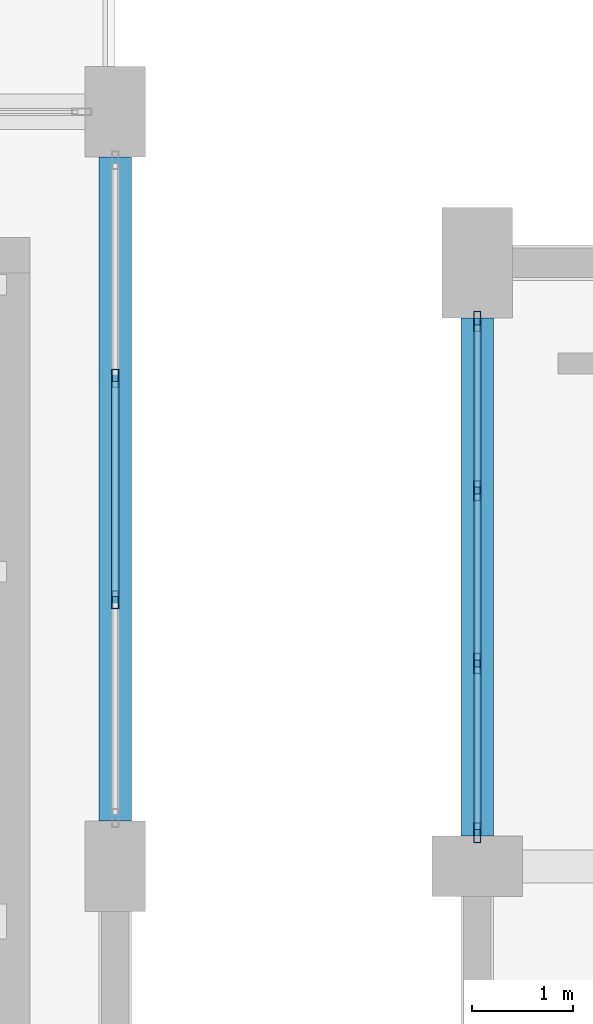
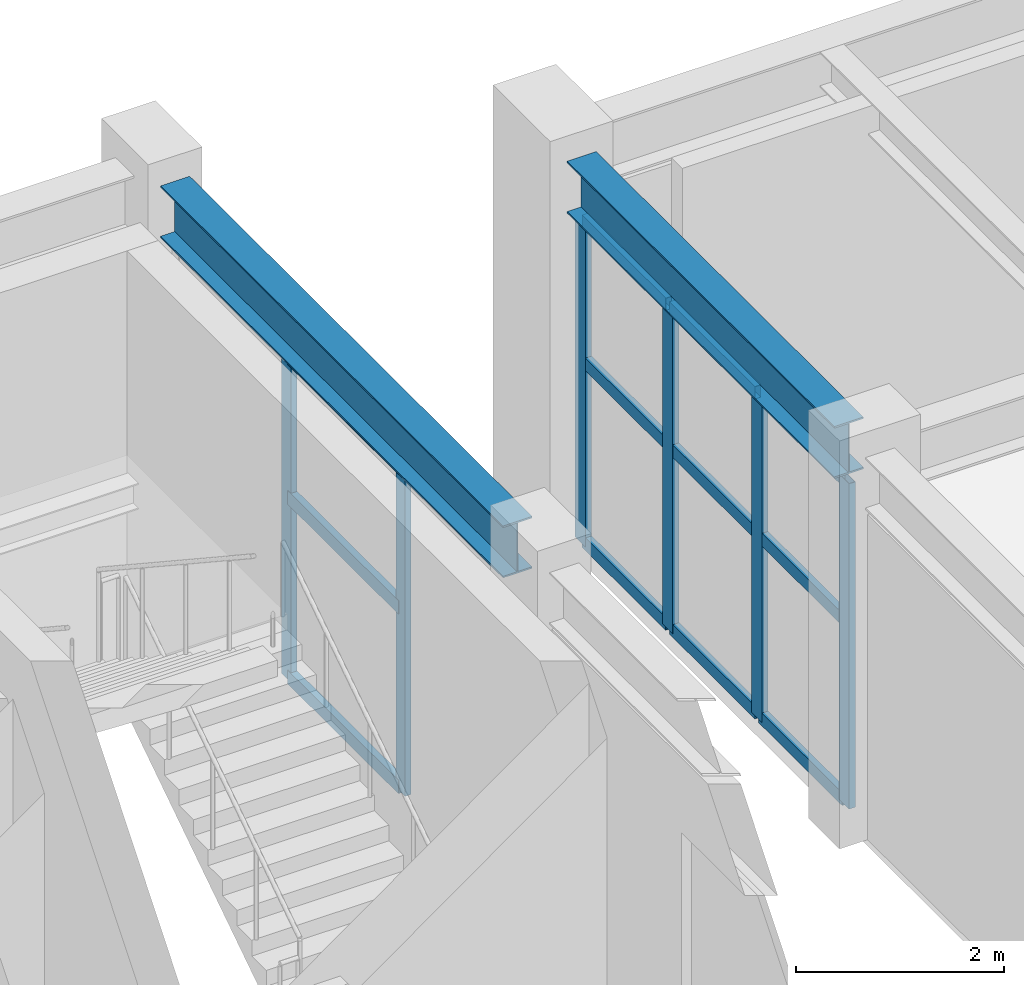
# One storey, part 39 of 80: 18 members, 2 beams, 2 elements without a shape of their own.
"""IFC4 building model written with IfcOpenShell, lengths in metres."""

from ifc_helpers import new_model, si_unit, direction, frame, origin, origin_2d, place, context, subcontext, project, spatial, hollow_rectangle, i_section, extrude, material, layer, layer_set, material_profile, profile_set, type_object, element, aggregate, save


model = new_model("IFC4")

# Units and contexts
model_context = context("Model", 3, precision=1e-05, world=origin(), true_north=direction((0.0, 1.0)))
body_context = subcontext(model_context, "Body", "Model", "MODEL_VIEW")
ifc_project = project(units=[si_unit("LENGTHUNIT", "METRE"), si_unit("AREAUNIT", "SQUARE_METRE"), si_unit("VOLUMEUNIT", "CUBIC_METRE"), si_unit("PLANEANGLEUNIT", "RADIAN"), si_unit("MASSUNIT", "GRAM", prefix="KILO")], contexts=[model_context])

# Site, building, storey
site_placement = place(None, origin())
site = spatial("IfcSite", under=ifc_project, at=site_placement, CompositionType="ELEMENT")
building_placement = place(site_placement, origin())
building = spatial("IfcBuilding", under=site, at=building_placement, Name="Vaelkrest Opera House", CompositionType="ELEMENT")
storey_placement = place(building_placement, frame((0.0, 0.0, 15.0)))
storey = spatial("IfcBuildingStorey", under=building, at=storey_placement, Name="L03", CompositionType="ELEMENT", Elevation=15.0)

# Curtain wall, members
ifc_material_1 = material(Name="Dark bronze anodized aluminium", Category="aluminium")
ifc_layer_1 = layer(ifc_material_1, 0.219970703125)
ifc_layer_set_1 = layer_set([ifc_layer_1], Name="Dark bronze anodized aluminium")
curtain_wall_type_1 = type_object("IfcCurtainWallType", Name="CW05", PredefinedType="NOTDEFINED", material=ifc_layer_set_1)
curtain_wall_1_placement = place(storey_placement, origin())
curtain_wall_1 = element("IfcCurtainWall", 1, at=curtain_wall_1_placement, inside=storey, type_object=curtain_wall_type_1, Name="Curtain wall CW-L03-135", PredefinedType="NOTDEFINED")
ifc_material_profile_1 = material_profile(ifc_material_1, hollow_rectangle(XDim=0.06494140625, YDim=0.179931640625, WallThickness=0.00390625, at=origin_2d()), Name="CWM65X180")
ifc_profile_set_1 = profile_set([ifc_material_profile_1], Name="Dark bronze anodized aluminium")
member_type_1 = type_object("IfcMemberType", Name="CWM01", PredefinedType="MULLION", material=ifc_profile_set_1)
member_1_placement = place(storey_placement, frame((-33.60009765625, 15.05078125, 0.0), z_axis=(0.0, 0.0, 1.0), x_axis=(1.0, 0.0, 0.0)))
member_1 = element("IfcMember", 2, at=member_1_placement, type_object=member_type_1, Name="CW05 mullion 2", PredefinedType="MULLION", context=body_context, shape_type="SweptSolid", body=[
    extrude(hollow_rectangle(XDim=0.06494140625, YDim=0.179931640625, WallThickness=0.00390625, at=origin_2d()), origin(), (0.0, 0.0, 1.0), 3.8291015625),
])
member_2_placement = place(storey_placement, frame((-33.60009765625, 12.849365234375, 0.0), z_axis=(0.0, 0.0, 1.0), x_axis=(1.0, 0.0, 0.0)))
member_2 = element("IfcMember", 3, at=member_2_placement, type_object=member_type_1, Name="CW05 mullion 3", PredefinedType="MULLION", context=body_context, shape_type="SweptSolid", body=[
    extrude(hollow_rectangle(XDim=0.06494140625, YDim=0.179931640625, WallThickness=0.00390625, at=origin_2d()), origin(), (0.0, 0.0, 1.0), 3.8291015625),
])

ifc_layer_2 = layer(ifc_material_1, 0.18994140625)
ifc_layer_set_2 = layer_set([ifc_layer_2], Name="Dark bronze anodized aluminium")
curtain_wall_type_2 = type_object("IfcCurtainWallType", Name="CW02", PredefinedType="NOTDEFINED", material=ifc_layer_set_2)
curtain_wall_2_placement = place(storey_placement, origin())
curtain_wall_2 = element("IfcCurtainWall", 4, at=curtain_wall_2_placement, inside=storey, type_object=curtain_wall_type_2, Name="Curtain wall CW-L03-050", PredefinedType="NOTDEFINED")
ifc_material_profile_2 = material_profile(ifc_material_1, hollow_rectangle(XDim=0.070068359375, YDim=0.199951171875, WallThickness=0.004150390625, at=origin_2d()), Name="CWM70X200")
ifc_profile_set_2 = profile_set([ifc_material_profile_2], Name="Dark bronze anodized aluminium")
member_type_2 = type_object("IfcMemberType", Name="CWM02", PredefinedType="MULLION", material=ifc_profile_set_2)
member_3_placement = place(storey_placement, frame((-30.0, 10.532958984375, 0.0), z_axis=(0.0, 0.0, 1.0), x_axis=(-1.0, 0.0, 0.0)))
member_3 = element("IfcMember", 5, at=member_3_placement, type_object=member_type_2, Name="CW02 mullion 1", PredefinedType="MULLION", context=body_context, shape_type="SweptSolid", body=[
    extrude(hollow_rectangle(XDim=0.070068359375, YDim=0.199951171875, WallThickness=0.004150390625, at=origin_2d()), origin(), (0.0, 0.0, 1.0), 3.8291015625),
])
member_4_placement = place(storey_placement, frame((-30.0, 12.216064453125, 0.0), z_axis=(0.0, 0.0, 1.0), x_axis=(-1.0, 0.0, 0.0)))
member_4 = element("IfcMember", 6, at=member_4_placement, type_object=member_type_2, Name="CW02 mullion 2", PredefinedType="MULLION", context=body_context, shape_type="SweptSolid", body=[
    extrude(hollow_rectangle(XDim=0.070068359375, YDim=0.199951171875, WallThickness=0.004150390625, at=origin_2d()), origin(), (0.0, 0.0, 1.0), 3.8291015625),
])
member_5_placement = place(storey_placement, frame((-30.0, 13.93408203125, 0.0), z_axis=(0.0, 0.0, 1.0), x_axis=(-1.0, 0.0, 0.0)))
member_5 = element("IfcMember", 7, at=member_5_placement, type_object=member_type_2, Name="CW02 mullion 3", PredefinedType="MULLION", context=body_context, shape_type="SweptSolid", body=[
    extrude(hollow_rectangle(XDim=0.070068359375, YDim=0.199951171875, WallThickness=0.004150390625, at=origin_2d()), origin(), (0.0, 0.0, 1.0), 3.8291015625),
])
member_6_placement = place(storey_placement, frame((-30.0, 15.616943359375, 0.0), z_axis=(0.0, 0.0, 1.0), x_axis=(-1.0, 0.0, 0.0)))
member_6 = element("IfcMember", 8, at=member_6_placement, type_object=member_type_2, Name="CW02 mullion 4", PredefinedType="MULLION", context=body_context, shape_type="SweptSolid", body=[
    extrude(hollow_rectangle(XDim=0.070068359375, YDim=0.199951171875, WallThickness=0.004150390625, at=origin_2d()), origin(), (0.0, 0.0, 1.0), 3.8291015625),
])
ifc_material_profile_3 = material_profile(ifc_material_1, hollow_rectangle(XDim=0.070068359375, YDim=0.14990234375, WallThickness=0.004150390625, at=origin_2d()), Name="CWT70X150")
ifc_profile_set_3 = profile_set([ifc_material_profile_3], Name="Dark bronze anodized aluminium")
member_type_3 = type_object("IfcMemberType", Name="CWT02", PredefinedType="USERDEFINED", material=ifc_profile_set_3)
member_7_placement = place(storey_placement, frame((-30.0, 10.568115234375, 0.034912109375), z_axis=(0.0, 1.0, 0.0), x_axis=(-1.0, 0.0, 0.0)))
member_7 = element("IfcMember", 9, at=member_7_placement, type_object=member_type_3, Name="CW02 transom 1.1", ObjectType="TRANSOM", PredefinedType="USERDEFINED", context=body_context, shape_type="SweptSolid", body=[
    extrude(hollow_rectangle(XDim=0.070068359375, YDim=0.14990234375, WallThickness=0.004150390625, at=origin_2d()), origin(), (0.0, 0.0, 1.0), 1.61279296875),
])
member_8_placement = place(storey_placement, frame((-30.0, 10.568115234375, 2.14990234375), z_axis=(0.0, 1.0, 0.0), x_axis=(-1.0, 0.0, 0.0)))
member_8 = element("IfcMember", 10, at=member_8_placement, type_object=member_type_3, Name="CW02 transom 1.2", ObjectType="TRANSOM", PredefinedType="USERDEFINED", context=body_context, shape_type="SweptSolid", body=[
    extrude(hollow_rectangle(XDim=0.070068359375, YDim=0.14990234375, WallThickness=0.004150390625, at=origin_2d()), origin(), (0.0, 0.0, 1.0), 1.61279296875),
])
member_9_placement = place(storey_placement, frame((-30.0, 10.568115234375, 3.7939453125), z_axis=(0.0, 1.0, 0.0), x_axis=(-1.0, 0.0, 0.0)))
member_9 = element("IfcMember", 11, at=member_9_placement, type_object=member_type_3, Name="CW02 transom 1.3", ObjectType="TRANSOM", PredefinedType="USERDEFINED", context=body_context, shape_type="SweptSolid", body=[
    extrude(hollow_rectangle(XDim=0.070068359375, YDim=0.14990234375, WallThickness=0.004150390625, at=origin_2d()), origin(), (0.0, 0.0, 1.0), 1.61279296875),
])
member_10_placement = place(storey_placement, frame((-30.0, 12.2509765625, 0.034912109375), z_axis=(0.0, 1.0, 0.0), x_axis=(-1.0, 0.0, 0.0)))
member_10 = element("IfcMember", 12, at=member_10_placement, type_object=member_type_3, Name="CW02 transom 2.1", ObjectType="TRANSOM", PredefinedType="USERDEFINED", context=body_context, shape_type="SweptSolid", body=[
    extrude(hollow_rectangle(XDim=0.070068359375, YDim=0.14990234375, WallThickness=0.004150390625, at=origin_2d()), origin(), (0.0, 0.0, 1.0), 1.64794921875),
])
member_11_placement = place(storey_placement, frame((-30.0, 12.2509765625, 2.14990234375), z_axis=(0.0, 1.0, 0.0), x_axis=(-1.0, 0.0, 0.0)))
member_11 = element("IfcMember", 13, at=member_11_placement, type_object=member_type_3, Name="CW02 transom 2.2", ObjectType="TRANSOM", PredefinedType="USERDEFINED", context=body_context, shape_type="SweptSolid", body=[
    extrude(hollow_rectangle(XDim=0.070068359375, YDim=0.14990234375, WallThickness=0.004150390625, at=origin_2d()), origin(), (0.0, 0.0, 1.0), 1.64794921875),
])
member_12_placement = place(storey_placement, frame((-30.0, 12.2509765625, 3.7939453125), z_axis=(0.0, 1.0, 0.0), x_axis=(-1.0, 0.0, 0.0)))
member_12 = element("IfcMember", 14, at=member_12_placement, type_object=member_type_3, Name="CW02 transom 2.3", ObjectType="TRANSOM", PredefinedType="USERDEFINED", context=body_context, shape_type="SweptSolid", body=[
    extrude(hollow_rectangle(XDim=0.070068359375, YDim=0.14990234375, WallThickness=0.004150390625, at=origin_2d()), origin(), (0.0, 0.0, 1.0), 1.64794921875),
])
member_13_placement = place(storey_placement, frame((-30.0, 13.968994140625, 0.034912109375), z_axis=(0.0, 1.0, 0.0), x_axis=(-1.0, 0.0, 0.0)))
member_13 = element("IfcMember", 15, at=member_13_placement, type_object=member_type_3, Name="CW02 transom 3.1", ObjectType="TRANSOM", PredefinedType="USERDEFINED", context=body_context, shape_type="SweptSolid", body=[
    extrude(hollow_rectangle(XDim=0.070068359375, YDim=0.14990234375, WallThickness=0.004150390625, at=origin_2d()), origin(), (0.0, 0.0, 1.0), 1.613037109375),
])
member_14_placement = place(storey_placement, frame((-30.0, 13.968994140625, 2.14990234375), z_axis=(0.0, 1.0, 0.0), x_axis=(-1.0, 0.0, 0.0)))
member_14 = element("IfcMember", 16, at=member_14_placement, type_object=member_type_3, Name="CW02 transom 3.2", ObjectType="TRANSOM", PredefinedType="USERDEFINED", context=body_context, shape_type="SweptSolid", body=[
    extrude(hollow_rectangle(XDim=0.070068359375, YDim=0.14990234375, WallThickness=0.004150390625, at=origin_2d()), origin(), (0.0, 0.0, 1.0), 1.613037109375),
])
member_15_placement = place(storey_placement, frame((-30.0, 13.968994140625, 3.7939453125), z_axis=(0.0, 1.0, 0.0), x_axis=(-1.0, 0.0, 0.0)))
member_15 = element("IfcMember", 17, at=member_15_placement, type_object=member_type_3, Name="CW02 transom 3.3", ObjectType="TRANSOM", PredefinedType="USERDEFINED", context=body_context, shape_type="SweptSolid", body=[
    extrude(hollow_rectangle(XDim=0.070068359375, YDim=0.14990234375, WallThickness=0.004150390625, at=origin_2d()), origin(), (0.0, 0.0, 1.0), 1.613037109375),
])
aggregate(curtain_wall_2, [member_3, member_4, member_5, member_6, member_7, member_8, member_9, member_10, member_11, member_12, member_13, member_14, member_15])

# Member
ifc_material_profile_4 = material_profile(ifc_material_1, hollow_rectangle(XDim=0.074951171875, YDim=0.159912109375, WallThickness=0.00439453125, at=origin_2d()), Name="CWT75X160")
ifc_profile_set_4 = profile_set([ifc_material_profile_4], Name="Dark bronze anodized aluminium")
member_type_4 = type_object("IfcMemberType", Name="CWT03", PredefinedType="USERDEFINED", material=ifc_profile_set_4)
member_16_placement = place(storey_placement, frame((-33.60009765625, 15.01806640625, 0.03759765625), z_axis=(0.0, -1.0, 0.0), x_axis=(1.0, 0.0, 0.0)))
member_16 = element("IfcMember", 18, at=member_16_placement, type_object=member_type_4, Name="CW05 transom 2.1", ObjectType="TRANSOM", PredefinedType="USERDEFINED", context=body_context, shape_type="SweptSolid", body=[
    extrude(hollow_rectangle(XDim=0.074951171875, YDim=0.159912109375, WallThickness=0.00439453125, at=origin_2d()), origin(), (0.0, 0.0, 1.0), 2.13623046875),
])

member_17_placement = place(storey_placement, frame((-33.60009765625, 15.01806640625, 2.14990234375), z_axis=(0.0, -1.0, 0.0), x_axis=(1.0, 0.0, 0.0)))
member_17 = element("IfcMember", 19, at=member_17_placement, type_object=member_type_4, Name="CW05 transom 2.2", ObjectType="TRANSOM", PredefinedType="USERDEFINED", context=body_context, shape_type="SweptSolid", body=[
    extrude(hollow_rectangle(XDim=0.074951171875, YDim=0.159912109375, WallThickness=0.00439453125, at=origin_2d()), origin(), (0.0, 0.0, 1.0), 2.13623046875),
])

member_18_placement = place(storey_placement, frame((-33.60009765625, 15.01806640625, 3.79150390625), z_axis=(0.0, -1.0, 0.0), x_axis=(1.0, 0.0, 0.0)))
member_18 = element("IfcMember", 20, at=member_18_placement, type_object=member_type_4, Name="CW05 transom 2.3", ObjectType="TRANSOM", PredefinedType="USERDEFINED", context=body_context, shape_type="SweptSolid", body=[
    extrude(hollow_rectangle(XDim=0.074951171875, YDim=0.159912109375, WallThickness=0.00439453125, at=origin_2d()), origin(), (0.0, 0.0, 1.0), 2.13623046875),
])

aggregate(curtain_wall_1, [member_1, member_2, member_16, member_17, member_18])

# Beams
ifc_material_2 = material(Name="Steel A992 Gr50", Category="steel")
ifc_material_profile_5 = material_profile(ifc_material_2, i_section(OverallWidth=0.323974609375, OverallDepth=0.611083984375, WebThickness=0.0126953125, FlangeThickness=0.01904296875, at=origin_2d()), Name="W24X104")
ifc_profile_set_5 = profile_set([ifc_material_profile_5], Name="Steel A992 Gr50")
beam_type = type_object("IfcBeamType", Name="SP01", PredefinedType="SPANDREL", material=ifc_profile_set_5)
beam_1_placement = place(storey_placement, frame((-30.0, 10.5, 4.199462890625), z_axis=(0.0, 1.0, 0.0), x_axis=(-1.0, 0.0, 0.0)))
element("IfcBeam", 21, at=beam_1_placement, inside=storey, type_object=beam_type, Name="Beam BM-V1-L03-0480", PredefinedType="SPANDREL", context=body_context, shape_type="SweptSolid", body=[
    extrude(i_section(OverallWidth=0.323974609375, OverallDepth=0.611083984375, WebThickness=0.0126953125, FlangeThickness=0.01904296875, at=origin_2d()), origin(), (0.0, 0.0, 1.0), 5.14990234375),
])
beam_2_placement = place(storey_placement, frame((-33.60009765625, 10.64990234375, 4.199462890625), z_axis=(0.0, 1.0, 0.0), x_axis=(-1.0, 0.0, 0.0)))
element("IfcBeam", 22, at=beam_2_placement, inside=storey, type_object=beam_type, Name="Beam BM-V3-L03-1788", PredefinedType="SPANDREL", context=body_context, shape_type="SweptSolid", body=[
    extrude(i_section(OverallWidth=0.323974609375, OverallDepth=0.611083984375, WebThickness=0.0126953125, FlangeThickness=0.01904296875, at=origin_2d()), origin(), (0.0, 0.0, 1.0), 6.60009765625),
])

save(model, "model.ifc")
